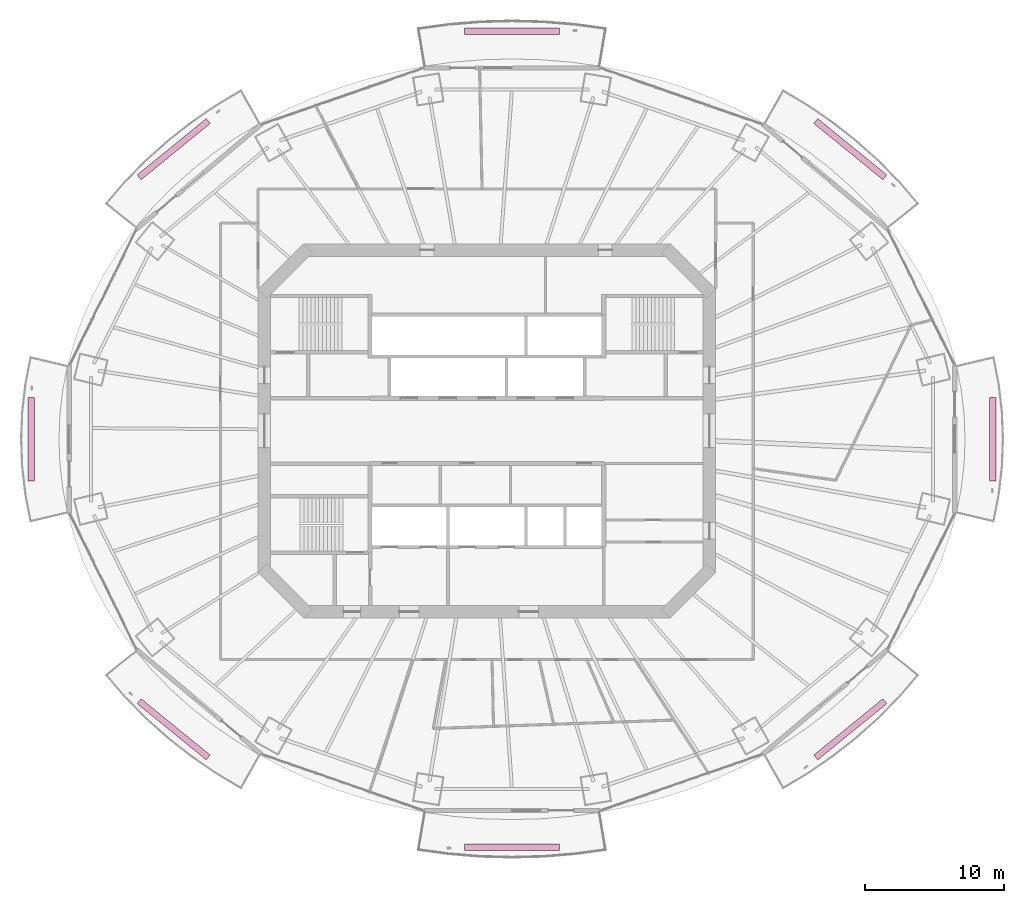
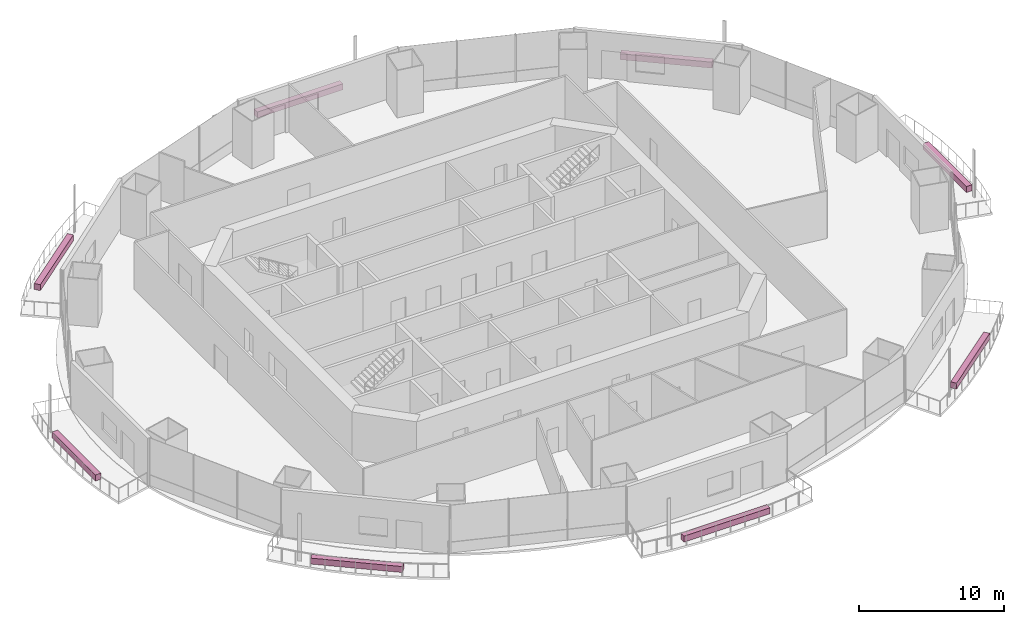
# One storey, part 20 of 20: 8 furnishings.
"""IFC4 building model written with IfcOpenShell, lengths in metres."""

from ifc_helpers import new_model, si_unit, direction, frame, origin, origin_2d, place, context, subcontext, project, spatial, rectangle, extrude, material, type_object, element, save


model = new_model("IFC4")

# Units and contexts
model_context = context("Model", 3, precision=1e-05, world=origin(), true_north=direction((0.0, 1.0)))
body_context = subcontext(model_context, "Body", "Model", "MODEL_VIEW")
ifc_project = project(units=[si_unit("LENGTHUNIT", "METRE"), si_unit("AREAUNIT", "SQUARE_METRE"), si_unit("VOLUMEUNIT", "CUBIC_METRE"), si_unit("PLANEANGLEUNIT", "RADIAN"), si_unit("MASSUNIT", "GRAM", prefix="KILO")], contexts=[model_context])

# Site, building, storey
site_placement = place(None, origin())
site = spatial("IfcSite", under=ifc_project, at=site_placement, CompositionType="ELEMENT")
building_placement = place(site_placement, origin())
building = spatial("IfcBuilding", under=site, at=building_placement, Name="Marenthal Gate Tower", CompositionType="ELEMENT")
storey_placement = place(building_placement, frame((0.0, 0.0, 181.800048828125)))
storey = spatial("IfcBuildingStorey", under=building, at=storey_placement, Name="L39", CompositionType="ELEMENT", Elevation=181.800048828125)

# Furnishings
ifc_material = material(Name="Planting soil and foliage", Category="planting")
furnishing_element_type = type_object("IfcFurnishingElementType", Name="Balcony PLANTER trough", material=ifc_material)
furnishing_1_placement = place(storey_placement, frame((26.127197265625, 20.257080078125, -0.0400390625), z_axis=(0.0, 0.0, 1.0), x_axis=(-0.775288092883, 0.631607768345, 0.0)))
element("IfcFurnishingElement", 1, at=furnishing_1_placement, inside=storey, type_object=furnishing_element_type, Name="Balcony PLANTER L39 bay 2", ObjectType="PLANTER", context=body_context, shape_type="SweptSolid", body=[
    extrude(rectangle(XDim=6.40625, YDim=0.449951171875, at=origin_2d()), origin(), (0.0, 0.0, 1.0), 0.5),
])
furnishing_2_placement = place(storey_placement, frame((1.800048828125, 28.740966796875, -0.0400390625), z_axis=(0.0, 0.0, 1.0), x_axis=(-1.0, 0.0, 0.0)))
element("IfcFurnishingElement", 2, at=furnishing_2_placement, inside=storey, type_object=furnishing_element_type, Name="Balcony PLANTER L39 bay 4", ObjectType="PLANTER", context=body_context, shape_type="SweptSolid", body=[
    extrude(rectangle(XDim=6.816650390625, YDim=0.449951171875, at=origin_2d()), origin(), (0.0, 0.0, 1.0), 0.5),
])
furnishing_3_placement = place(storey_placement, frame((-22.527099609375, 20.257080078125, -0.0400390625), z_axis=(0.0, 0.0, 1.0), x_axis=(-0.775288092883, -0.631607768345, 0.0)))
element("IfcFurnishingElement", 3, at=furnishing_3_placement, inside=storey, type_object=furnishing_element_type, Name="Balcony PLANTER L39 bay 6", ObjectType="PLANTER", context=body_context, shape_type="SweptSolid", body=[
    extrude(rectangle(XDim=6.40625, YDim=0.449951171875, at=origin_2d()), origin(), (0.0, 0.0, 1.0), 0.5),
])
furnishing_4_placement = place(storey_placement, frame((-32.77197265625, -0.60009765625, -0.0400390625), z_axis=(0.0, 0.0, 1.0), x_axis=(0.0, -1.0, 0.0)))
element("IfcFurnishingElement", 4, at=furnishing_4_placement, inside=storey, type_object=furnishing_element_type, Name="Balcony PLANTER L39 bay 8", ObjectType="PLANTER", context=body_context, shape_type="SweptSolid", body=[
    extrude(rectangle(XDim=5.98046875, YDim=0.449951171875, at=origin_2d()), origin(), (0.0, 0.0, 1.0), 0.5),
])
furnishing_5_placement = place(storey_placement, frame((-22.527099609375, -21.45703125, -0.0400390625), z_axis=(0.0, 0.0, 1.0), x_axis=(0.775288092883, -0.631607768345, 0.0)))
element("IfcFurnishingElement", 5, at=furnishing_5_placement, inside=storey, type_object=furnishing_element_type, Name="Balcony PLANTER L39 bay 10", ObjectType="PLANTER", context=body_context, shape_type="SweptSolid", body=[
    extrude(rectangle(XDim=6.40625, YDim=0.449951171875, at=origin_2d()), origin(), (0.0, 0.0, 1.0), 0.5),
])
furnishing_6_placement = place(storey_placement, frame((1.800048828125, -29.94091796875, -0.0400390625), z_axis=(0.0, 0.0, 1.0), x_axis=(1.0, 0.0, 0.0)))
element("IfcFurnishingElement", 6, at=furnishing_6_placement, inside=storey, type_object=furnishing_element_type, Name="Balcony PLANTER L39 bay 12", ObjectType="PLANTER", context=body_context, shape_type="SweptSolid", body=[
    extrude(rectangle(XDim=6.816650390625, YDim=0.449951171875, at=origin_2d()), origin(), (0.0, 0.0, 1.0), 0.5),
])
furnishing_7_placement = place(storey_placement, frame((26.127197265625, -21.45703125, -0.0400390625), z_axis=(0.0, 0.0, 1.0), x_axis=(0.775288092883, 0.631607768345, 0.0)))
element("IfcFurnishingElement", 7, at=furnishing_7_placement, inside=storey, type_object=furnishing_element_type, Name="Balcony PLANTER L39 bay 14", ObjectType="PLANTER", context=body_context, shape_type="SweptSolid", body=[
    extrude(rectangle(XDim=6.40625, YDim=0.449951171875, at=origin_2d()), origin(), (0.0, 0.0, 1.0), 0.5),
])
furnishing_8_placement = place(storey_placement, frame((36.3720703125, -0.60009765625, -0.0400390625), z_axis=(0.0, 0.0, 1.0), x_axis=(0.0, 1.0, 0.0)))
element("IfcFurnishingElement", 8, at=furnishing_8_placement, inside=storey, type_object=furnishing_element_type, Name="Balcony PLANTER L39 bay 16", ObjectType="PLANTER", context=body_context, shape_type="SweptSolid", body=[
    extrude(rectangle(XDim=5.98046875, YDim=0.449951171875, at=origin_2d()), origin(), (0.0, 0.0, 1.0), 0.5),
])

save(model, "model.ifc")
